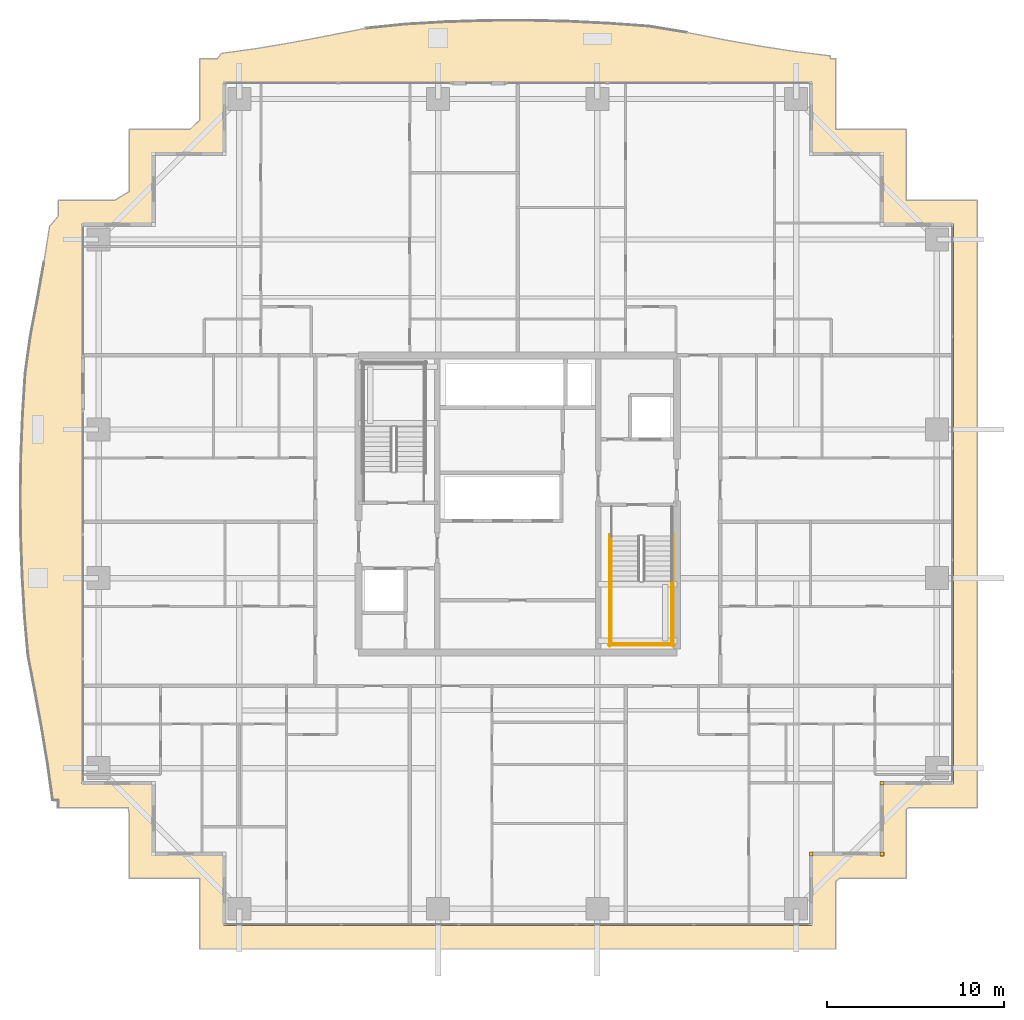
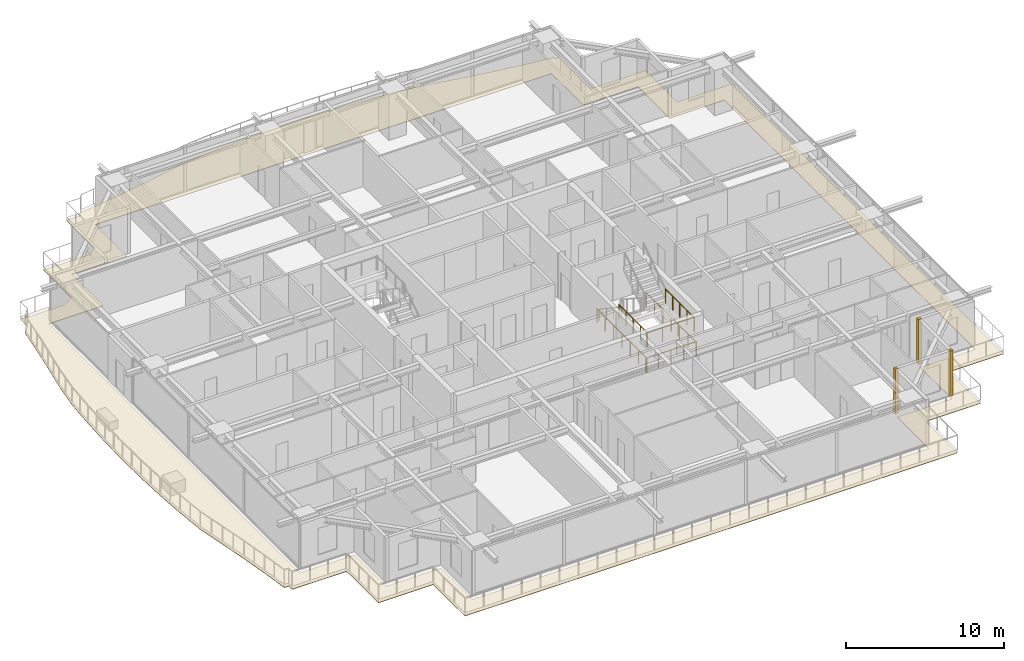
# One storey, part 35 of 37: 7 railings, 4 coverings.
"""IFC4 building model written with IfcOpenShell, lengths in metres."""

from ifc_helpers import new_model, si_unit, direction, frame, origin, origin_2d, place, context, subcontext, project, spatial, polyline, rectangle, circle, outline, extrude, source, transform, mapped, material, layer, layer_set, type_object, element, save


model = new_model("IFC4")

# Units and contexts
model_context = context("Model", 3, precision=1e-05, world=origin(), true_north=direction((0.0, 1.0)))
body_context = subcontext(model_context, "Body", "Model", "MODEL_VIEW")
ifc_project = project(units=[si_unit("LENGTHUNIT", "METRE"), si_unit("AREAUNIT", "SQUARE_METRE"), si_unit("VOLUMEUNIT", "CUBIC_METRE"), si_unit("PLANEANGLEUNIT", "RADIAN"), si_unit("MASSUNIT", "GRAM", prefix="KILO")], contexts=[model_context])

# Site, building, storey
site_placement = place(None, origin())
site = spatial("IfcSite", under=ifc_project, at=site_placement, CompositionType="ELEMENT")
building_placement = place(site_placement, origin())
building = spatial("IfcBuilding", under=site, at=building_placement, Name="Serunith Strait Residences", CompositionType="ELEMENT")
storey_placement = place(building_placement, frame((0.0, 0.0, 127.64990234375)))
storey = spatial("IfcBuildingStorey", under=building, at=storey_placement, Name="L31", CompositionType="ELEMENT", Elevation=127.64990234375)

# Covering
ifc_material_1 = material(Name="Golden Teak Exterior Timber Boarding", Category="wood")
ifc_layer_1 = layer(ifc_material_1, 0.034912109375, Name="Golden Teak Exterior Timber Boarding")
ifc_layer_set_1 = layer_set([ifc_layer_1], Name="Golden Teak Exterior Timber Boarding")
covering_type_1 = type_object("IfcCoveringType", Name="COV-TEAK-SOFFIT", PredefinedType="CEILING", material=ifc_layer_set_1)
covering_placement = place(storey_placement, frame((0.0, 0.0, -0.324951171875)))
element("IfcCovering", 1, at=covering_placement, inside=storey, type_object=covering_type_1, Name="L31 Golden-Teak Balcony Soffit Lining", PredefinedType="CEILING", context=body_context, shape_type="SweptSolid", body=[
    extrude(outline(polyline([(6.419921875, 8.02001953125), (6.419921875, 8.43017578125), (6.096923828125, 8.44873046875), (5.818603515625, 10.45068359375), (5.48583984375, 12.472412109375), (5.107177734375, 14.53076171875), (4.7060546875, 16.644287109375), (4.5078125, 18.869384765625), (4.376708984375, 21.136962890625), (4.29541015625, 23.42919921875), (4.272216796875, 25.733642578125), (4.30908203125, 28.03564453125), (4.403076171875, 30.3212890625), (4.544677734375, 32.5791015625), (4.8505859375, 34.75634765625), (5.24609375, 36.84521484375), (5.6083984375, 38.88623046875), (5.920654296875, 40.8974609375), (6.419921875, 41.4814453125), (6.419921875, 42.3798828125), (9.62939453125, 42.3798828125), (10.419921875, 42.8515625), (10.419921875, 46.3798828125), (13.863525390625, 46.3798828125), (14.419921875, 46.916015625), (14.419921875, 50.3798828125), (15.424072265625, 50.3798828125), (15.6328125, 50.672119140625), (17.630615234375, 50.95166015625), (19.647216796875, 51.290283203125), (21.70068359375, 51.679443359375), (23.8115234375, 52.095458984375), (26.036376953125, 52.325927734375), (28.3154296875, 52.456298828125), (30.6201171875, 52.530517578125), (32.93603515625, 52.540771484375), (35.2470703125, 52.486328125), (37.53759765625, 52.372802734375), (39.7958984375, 52.21142578125), (41.958740234375, 51.860107421875), (44.03759765625, 51.45361328125), (46.06982421875, 51.08935546875), (48.075439453125, 50.7822265625), (50.070068359375, 50.5341796875), (50.06884765625, 50.3798828125), (50.3798828125, 50.3798828125), (50.3798828125, 46.3798828125), (54.3798828125, 46.3798828125), (54.3798828125, 42.3798828125), (58.3798828125, 42.3798828125), (58.3798828125, 8.02001953125), (54.51513671875, 8.02001953125), (54.3798828125, 7.921875), (54.3798828125, 4.02001953125), (50.601806640625, 4.02001953125), (50.3798828125, 3.8408203125), (50.3798828125, 0.02001953125), (14.419921875, 0.02001953125), (14.419921875, 4.02001953125), (10.419921875, 4.02001953125), (10.419921875, 7.688232421875), (10.37109375, 8.02001953125), (6.419921875, 8.02001953125)]), holes=[polyline([(49.054931640625, 1.344970703125), (49.054931640625, 5.344970703125), (53.054931640625, 5.344970703125), (53.054931640625, 9.344970703125), (57.054931640625, 9.344970703125), (57.054931640625, 41.054931640625), (53.054931640625, 41.054931640625), (53.054931640625, 45.054931640625), (49.054931640625, 45.054931640625), (49.054931640625, 49.054931640625), (15.7451171875, 49.054931640625), (15.7451171875, 45.054931640625), (11.7451171875, 45.054931640625), (11.7451171875, 41.054931640625), (7.7451171875, 41.054931640625), (7.7451171875, 9.344970703125), (11.7451171875, 9.344970703125), (11.7451171875, 5.344970703125), (15.7451171875, 5.344970703125), (15.7451171875, 1.344970703125), (49.054931640625, 1.344970703125)])]), origin(), (0.0, 0.0, 1.0), 0.03515625),
])

# Railings
ifc_material_2 = material(Name="Brushed stainless steel 316L", Category="steel")
railing_type_1 = type_object("IfcRailingType", Name="RLG-STAIR-GUARD", PredefinedType="BALUSTRADE", material=ifc_material_2)
for number, where, name in (
    (2, (37.699951171875, 20.85009765625, 1.875), "L31 ST-2 stair guard 3"),
    (3, (41.10009765625, 20.85009765625, 1.875), "L31 ST-2 stair guard 4"),
):
    element("IfcRailing", number, at=place(storey_placement, frame(where)), inside=storey, type_object=railing_type_1, Name=name, PredefinedType="BALUSTRADE", context=body_context, shape_type="SweptSolid", body=[
        extrude(circle(Radius=0.02392578125, at=origin_2d()), frame((0.0, -0.001953125, 1.076171875), z_axis=(0.0, -1.0, 0.0), x_axis=(1.0, 0.0, 0.0)), (0.0, 0.0, 1.0), 3.59619140625),
        extrude(circle(Radius=0.02099609375, at=origin_2d()), origin(), (0.0, 0.0, 1.0), 1.050048828125),
        extrude(circle(Radius=0.02099609375, at=origin_2d()), frame((0.0, -0.89990234375, 0.0)), (0.0, 0.0, 1.0), 1.050048828125),
        extrude(circle(Radius=0.02099609375, at=origin_2d()), frame((0.0, -1.800048828125, 0.0)), (0.0, 0.0, 1.0), 1.050048828125),
        extrude(circle(Radius=0.02099609375, at=origin_2d()), frame((0.0, -2.7001953125, 0.0)), (0.0, 0.0, 1.0), 1.050048828125),
        extrude(circle(Radius=0.02099609375, at=origin_2d()), frame((0.0, -3.60009765625, 0.0)), (0.0, 0.0, 1.0), 1.050048828125),
    ])
railing_1_placement = place(storey_placement, frame((37.64990234375, 17.300048828125, 1.875)))
element("IfcRailing", 4, at=railing_1_placement, inside=storey, type_object=railing_type_1, Name="L31 ST-2 stair guard 5", PredefinedType="BALUSTRADE", context=body_context, shape_type="SweptSolid", body=[
    extrude(circle(Radius=0.02392578125, at=origin_2d()), frame((0.001953125, 0.0, 1.076171875), z_axis=(1.0, 0.0, 0.0), x_axis=(0.0, 1.0, 0.0)), (0.0, 0.0, 1.0), 3.49609375),
    extrude(circle(Radius=0.02099609375, at=origin_2d()), origin(), (0.0, 0.0, 1.0), 1.050048828125),
    extrude(circle(Radius=0.02099609375, at=origin_2d()), frame((1.166748046875, 0.0, 0.0)), (0.0, 0.0, 1.0), 1.050048828125),
    extrude(circle(Radius=0.02099609375, at=origin_2d()), frame((2.333251953125, 0.0, 0.0)), (0.0, 0.0, 1.0), 1.050048828125),
    extrude(circle(Radius=0.02099609375, at=origin_2d()), frame((3.5, 0.0, 0.0)), (0.0, 0.0, 1.0), 1.050048828125),
])
for number, where, name in (
    (5, (37.60009765625, 23.469970703125, 0.0), "L31 ST-2 stair guard 10"),
    (6, (41.199951171875, 23.469970703125, 0.0), "L31 ST-2 stair guard 11"),
):
    element("IfcRailing", number, at=place(storey_placement, frame(where)), inside=storey, type_object=railing_type_1, Name=name, PredefinedType="BALUSTRADE", context=body_context, shape_type="SweptSolid", body=[
        extrude(circle(Radius=0.02392578125, at=origin_2d()), frame((0.0, -0.001953125, 1.076171875), z_axis=(0.0, -1.0, 0.0), x_axis=(1.0, 0.0, 0.0)), (0.0, 0.0, 1.0), 6.316162109375),
        extrude(circle(Radius=0.02099609375, at=origin_2d()), origin(), (0.0, 0.0, 1.0), 1.050048828125),
        extrude(circle(Radius=0.02099609375, at=origin_2d()), frame((0.0, -1.05322265625, 0.0)), (0.0, 0.0, 1.0), 1.050048828125),
        extrude(circle(Radius=0.02099609375, at=origin_2d()), frame((0.0, -2.106689453125, 0.0)), (0.0, 0.0, 1.0), 1.050048828125),
        extrude(circle(Radius=0.02099609375, at=origin_2d()), frame((0.0, -3.16015625, 0.0)), (0.0, 0.0, 1.0), 1.050048828125),
        extrude(circle(Radius=0.02099609375, at=origin_2d()), frame((0.0, -4.21337890625, 0.0)), (0.0, 0.0, 1.0), 1.050048828125),
        extrude(circle(Radius=0.02099609375, at=origin_2d()), frame((0.0, -5.2666015625, 0.0)), (0.0, 0.0, 1.0), 1.050048828125),
        extrude(circle(Radius=0.02099609375, at=origin_2d()), frame((0.0, -6.320068359375, 0.0)), (0.0, 0.0, 1.0), 1.050048828125),
    ])
railing_2_placement = place(storey_placement, frame((37.550048828125, 17.199951171875, 0.0)))
element("IfcRailing", 7, at=railing_2_placement, inside=storey, type_object=railing_type_1, Name="L31 ST-2 stair guard 12", PredefinedType="BALUSTRADE", context=body_context, shape_type="SweptSolid", body=[
    extrude(circle(Radius=0.02392578125, at=origin_2d()), frame((0.001953125, 0.0, 1.076171875), z_axis=(1.0, 0.0, 0.0), x_axis=(0.0, 1.0, 0.0)), (0.0, 0.0, 1.0), 3.696044921875),
    extrude(circle(Radius=0.02099609375, at=origin_2d()), origin(), (0.0, 0.0, 1.0), 1.050048828125),
    extrude(circle(Radius=0.02099609375, at=origin_2d()), frame((0.925048828125, 0.0, 0.0)), (0.0, 0.0, 1.0), 1.050048828125),
    extrude(circle(Radius=0.02099609375, at=origin_2d()), frame((1.85009765625, 0.0, 0.0)), (0.0, 0.0, 1.0), 1.050048828125),
    extrude(circle(Radius=0.02099609375, at=origin_2d()), frame((2.77490234375, 0.0, 0.0)), (0.0, 0.0, 1.0), 1.050048828125),
    extrude(circle(Radius=0.02099609375, at=origin_2d()), frame((3.699951171875, 0.0, 0.0)), (0.0, 0.0, 1.0), 1.050048828125),
])
railing_type_2 = type_object("IfcRailingType", Name="RLG-STAIR-HR", PredefinedType="HANDRAIL", material=ifc_material_2)
railing_3_placement = place(storey_placement, frame((37.699951171875, 23.3701171875, 0.1875)))
element("IfcRailing", 8, at=railing_3_placement, inside=storey, type_object=railing_type_2, Name="L31 ST-2 stair handrail 1", PredefinedType="HANDRAIL", context=body_context, shape_type="SweptSolid", body=[
    extrude(circle(Radius=0.02392578125, at=origin_2d()), frame((0.0, -0.001708984375, 0.876953125), z_axis=(0.0, -0.830208209119, 0.557453432594), x_axis=(1.0, 0.0, 0.0)), (0.0, 0.0, 1.0), 3.36865234375),
    extrude(circle(Radius=0.02099609375, at=origin_2d()), origin(), (0.0, 0.0, 1.0), 0.849853515625),
    extrude(circle(Radius=0.02099609375, at=origin_2d()), frame((0.0, -0.933349609375, 0.626708984375)), (0.0, 0.0, 1.0), 0.849853515625),
    extrude(circle(Radius=0.02099609375, at=origin_2d()), frame((0.0, -1.86669921875, 1.25341796875)), (0.0, 0.0, 1.0), 0.849853515625),
    extrude(circle(Radius=0.02099609375, at=origin_2d()), frame((0.0, -2.800048828125, 1.880126953125)), (0.0, 0.0, 1.0), 0.849853515625),
])

# Coverings
ifc_material_3 = material(Name="Pale-Champagne Anodised Aluminium", Category="aluminium")
ifc_layer_2 = layer(ifc_material_3, 0.219970703125, Name="Pale-Champagne Anodised Aluminium")
ifc_layer_set_2 = layer_set([ifc_layer_2], Name="Pale-Champagne Anodised Aluminium")
covering_type_2 = type_object("IfcCoveringType", Name="COV-CORN-TRIM", PredefinedType="CLADDING", material=ifc_layer_set_2)
shared_shape = source(origin(), body_context, "Body", "SweptSolid", [
    extrude(rectangle(XDim=0.221923828125, YDim=0.221923828125, at=origin_2d()), origin(), (0.0, 0.0, 1.0), 3.47509765625),
])
for number, where, z_axis, x_axis, name in (
    (9, (49.0, 5.39990234375, 0.0), (0.0, 0.0, 1.0), (1.0, 0.0, 0.0), "L31 Girih Serrated Corner Trim Post 02"),
    (10, (53.0, 5.39990234375, 0.0), (0.0, 0.0, 1.0), (1.0, 0.0, 0.0), "L31 Girih Serrated Corner Trim Post 03"),
    (11, (53.0, 9.39990234375, 0.0), (0.0, 0.0, 1.0), (1.0, 0.0, 0.0), "L31 Girih Serrated Corner Trim Post 04"),
):
    element("IfcCovering", number, at=place(storey_placement, frame(where, z_axis=z_axis, x_axis=x_axis)), inside=storey, type_object=covering_type_2, Name=name, PredefinedType="CLADDING", context=body_context, shape_type="MappedRepresentation", body=[
        mapped(shared_shape, transform((0.0, 0.0, 0.0), scale=1.0)),
    ])

save(model, "model.ifc")
